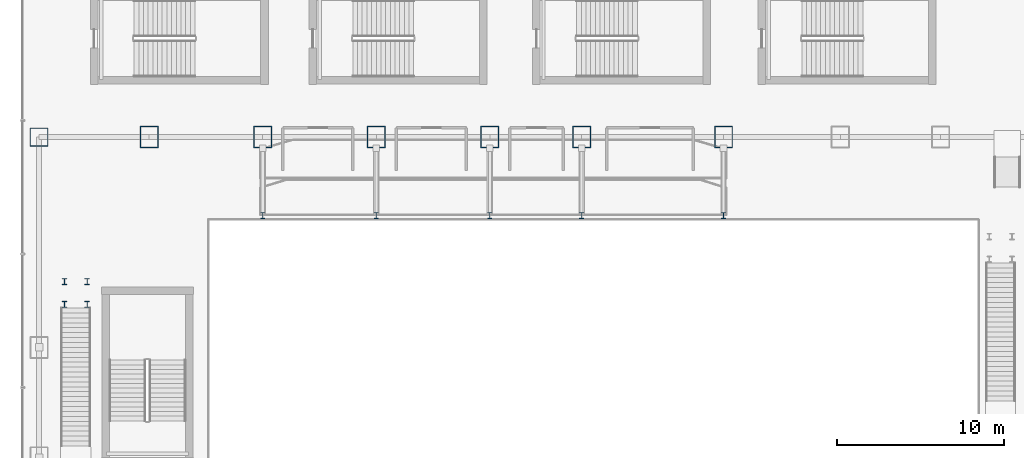
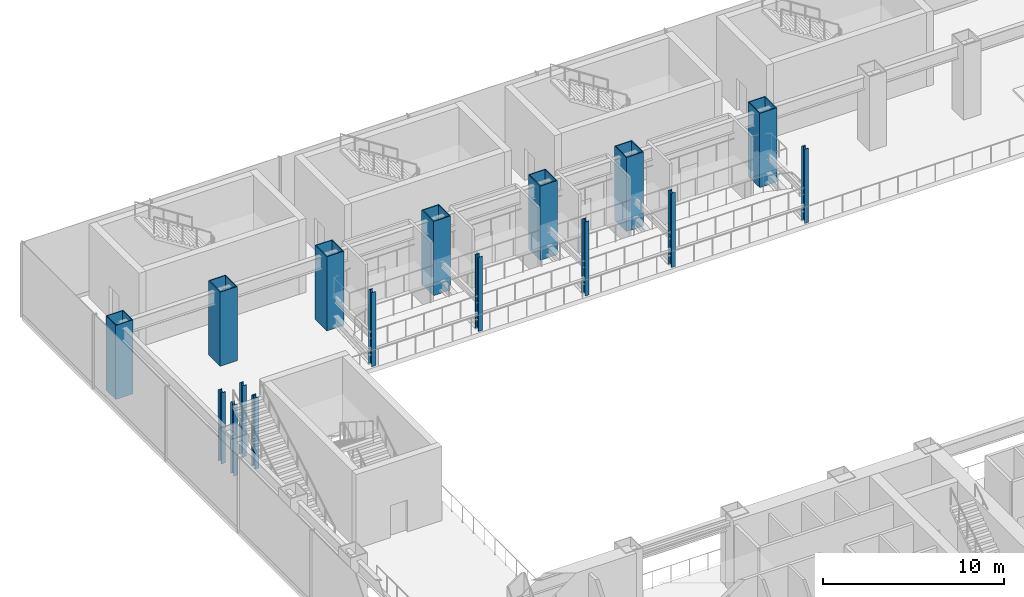
# One storey, part 2 of 40: 16 columns.
"""IFC4 building model written with IfcOpenShell, lengths in metres."""

from ifc_helpers import new_model, si_unit, derived_unit, direction, frame, origin, origin_2d, place, context, subcontext, project, spatial, hollow_rectangle, i_section, extrude, source, transform, mapped, material, material_profile, profile_set, type_object, element, save


model = new_model("IFC4")

# Units and contexts
model_context = context("Model", 3, precision=1e-05, world=origin(), true_north=direction((0.0, 1.0)))
body_context = subcontext(model_context, "Body", "Model", "MODEL_VIEW")
ifc_project = project(units=[si_unit("LENGTHUNIT", "METRE"), si_unit("AREAUNIT", "SQUARE_METRE"), si_unit("VOLUMEUNIT", "CUBIC_METRE"), si_unit("PLANEANGLEUNIT", "RADIAN"), si_unit("MASSUNIT", "GRAM", prefix="KILO"), derived_unit("THERMALTRANSMITTANCEUNIT", [(si_unit("POWERUNIT", "WATT"), 1), (si_unit("LENGTHUNIT", "METRE"), -2), (si_unit("THERMODYNAMICTEMPERATUREUNIT", "KELVIN"), -1)])], contexts=[model_context])

# Site, building, storey
site_placement = place(None, origin())
site = spatial("IfcSite", under=ifc_project, at=site_placement, CompositionType="ELEMENT")
building_placement = place(site_placement, origin())
building = spatial("IfcBuilding", under=site, at=building_placement, Name="Skarnbrae Concourse Arena and Tower", CompositionType="ELEMENT")
storey_placement = place(building_placement, frame((0.0, 0.0, 6.0)))
storey = spatial("IfcBuildingStorey", under=building, at=storey_placement, Name="L01", CompositionType="ELEMENT", Elevation=6.0)

# Columns
ifc_material = material(Name="Steel CSA G40.21 350W", Category="steel")
ifc_material_profile_1 = material_profile(ifc_material, hollow_rectangle(XDim=1.10009765625, YDim=1.10009765625, WallThickness=0.050048828125, at=origin_2d()), Name="BOX1100X1100X50")
ifc_profile_set_1 = profile_set([ifc_material_profile_1], Name="Steel CSA G40.21 350W")
column_type_1 = type_object("IfcColumnType", Name="COL-MEGA-BOX1100", PredefinedType="PILASTER", material=ifc_profile_set_1)
shared_shape_1 = source(origin(), body_context, "Body", "SweptSolid", [
    extrude(hollow_rectangle(XDim=1.10009765625, YDim=1.10009765625, WallThickness=0.050048828125, at=origin_2d()), origin(), (0.0, 0.0, 1.0), 5.0),
])
column_placement = place(storey_placement, frame((1.0, 47.0, 0.0), z_axis=(0.0, 0.0, 1.0), x_axis=(1.0, 0.0, 0.0)))
element("IfcColumn", 1, at=column_placement, inside=storey, type_object=column_type_1, Name="L01 Podium mega-column MC-W6", PredefinedType="PILASTER", context=body_context, shape_type="MappedRepresentation", body=[
    mapped(shared_shape_1, transform((0.0, 0.0, 0.0))),
])
ifc_material_profile_2 = material_profile(ifc_material, hollow_rectangle(XDim=1.10009765625, YDim=1.300048828125, WallThickness=0.054931640625, at=origin_2d()), Name="BOX1300X1100X55")
ifc_profile_set_2 = profile_set([ifc_material_profile_2], Name="Steel CSA G40.21 350W")
column_type_2 = type_object("IfcColumnType", Name="COL-MEGA-BOX1300", PredefinedType="PILASTER", material=ifc_profile_set_2)
shared_shape_2 = source(origin(), body_context, "Body", "SweptSolid", [
    extrude(hollow_rectangle(XDim=1.10009765625, YDim=1.300048828125, WallThickness=0.054931640625, at=origin_2d()), origin(), (0.0, 0.0, 1.0), 5.0),
])
for number, where, z_axis, x_axis, name in (
    (2, (7.60009765625, 47.0, 0.0), (0.0, 0.0, 1.0), (1.0, 0.0, 0.0), "L01 Podium mega-column MC-N2"),
    (3, (14.39990234375, 47.0, 0.0), (0.0, 0.0, 1.0), (1.0, 0.0, 0.0), "L01 Podium mega-column MC-N3"),
    (4, (21.199951171875, 47.0, 0.0), (0.0, 0.0, 1.0), (1.0, 0.0, 0.0), "L01 Podium mega-column MC-N4"),
    (5, (28.0, 47.0, 0.0), (0.0, 0.0, 1.0), (1.0, 0.0, 0.0), "L01 Podium mega-column MC-N5"),
    (6, (33.5, 47.0, 0.0), (0.0, 0.0, 1.0), (1.0, 0.0, 0.0), "L01 Podium mega-column MC-N6"),
    (7, (42.0, 47.0, 0.0), (0.0, 0.0, 1.0), (1.0, 0.0, 0.0), "L01 Podium mega-column MC-N7"),
):
    element("IfcColumn", number, at=place(storey_placement, frame(where, z_axis=z_axis, x_axis=x_axis)), inside=storey, type_object=column_type_2, Name=name, PredefinedType="PILASTER", context=body_context, shape_type="MappedRepresentation", body=[
        mapped(shared_shape_2, transform((0.0, 0.0, 0.0))),
    ])
ifc_material_profile_3 = material_profile(ifc_material, i_section(OverallWidth=0.257080078125, OverallDepth=0.363037109375, WebThickness=0.012939453125, FlangeThickness=0.021728515625, at=origin_2d()), Name="W360X122")
ifc_profile_set_3 = profile_set([ifc_material_profile_3], Name="Steel CSA G40.21 350W")
column_type_3 = type_object("IfcColumnType", Name="COL-POD-W360X122", PredefinedType="COLUMN", material=ifc_profile_set_3)
shared_shape_3 = source(origin(), body_context, "Body", "SweptSolid", [
    extrude(i_section(OverallWidth=0.257080078125, OverallDepth=0.363037109375, WebThickness=0.012939453125, FlangeThickness=0.021728515625, at=origin_2d()), origin(), (0.0, 0.0, 1.0), 5.0),
])
for number, where, z_axis, x_axis, name in (
    (8, (14.39990234375, 42.300048828125, 0.0), (0.0, 0.0, 1.0), (1.0, 0.0, 0.0), "L01 Arena seating stand toe column X14"),
    (9, (21.199951171875, 42.300048828125, 0.0), (0.0, 0.0, 1.0), (1.0, 0.0, 0.0), "L01 Arena seating stand toe column X21"),
    (10, (28.0, 42.300048828125, 0.0), (0.0, 0.0, 1.0), (1.0, 0.0, 0.0), "L01 Arena seating stand toe column X28"),
    (11, (33.5, 42.300048828125, 0.0), (0.0, 0.0, 1.0), (1.0, 0.0, 0.0), "L01 Arena seating stand toe column X33"),
    (12, (42.0, 42.300048828125, 0.0), (0.0, 0.0, 1.0), (1.0, 0.0, 0.0), "L01 Arena seating stand toe column X42"),
):
    element("IfcColumn", number, at=place(storey_placement, frame(where, z_axis=z_axis, x_axis=x_axis)), inside=storey, type_object=column_type_3, Name=name, PredefinedType="COLUMN", context=body_context, shape_type="MappedRepresentation", body=[
        mapped(shared_shape_3, transform((0.0, 0.0, 0.0))),
    ])
shared_shape_4 = source(origin(), body_context, "Body", "SweptSolid", [
    extrude(i_section(OverallWidth=0.257080078125, OverallDepth=0.363037109375, WebThickness=0.012939453125, FlangeThickness=0.021728515625, at=origin_2d()), origin(), (0.0, 0.0, 1.0), 4.800048828125),
])
for number, where, z_axis, x_axis, name in (
    (13, (2.52001953125, 36.97998046875, 0.0), (0.0, 0.0, 1.0), (1.0, 0.0, 0.0), "L01 Concourse stair ST-CONC-2-L01 TOP post 11"),
    (14, (2.52001953125, 38.340087890625, 0.0), (0.0, 0.0, 1.0), (1.0, 0.0, 0.0), "L01 Concourse stair ST-CONC-2-L01 TOP post 12"),
    (15, (3.8798828125, 36.97998046875, 0.0), (0.0, 0.0, 1.0), (1.0, 0.0, 0.0), "L01 Concourse stair ST-CONC-2-L01 TOP post 21"),
    (16, (3.8798828125, 38.340087890625, 0.0), (0.0, 0.0, 1.0), (1.0, 0.0, 0.0), "L01 Concourse stair ST-CONC-2-L01 TOP post 22"),
):
    element("IfcColumn", number, at=place(storey_placement, frame(where, z_axis=z_axis, x_axis=x_axis)), inside=storey, type_object=column_type_3, Name=name, PredefinedType="COLUMN", context=body_context, shape_type="MappedRepresentation", body=[
        mapped(shared_shape_4, transform((0.0, 0.0, 0.0))),
    ])

save(model, "model.ifc")
